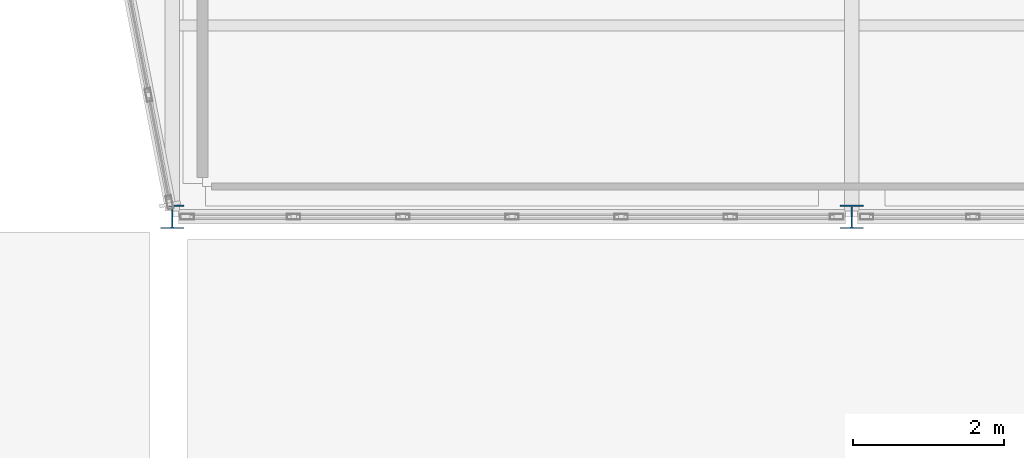
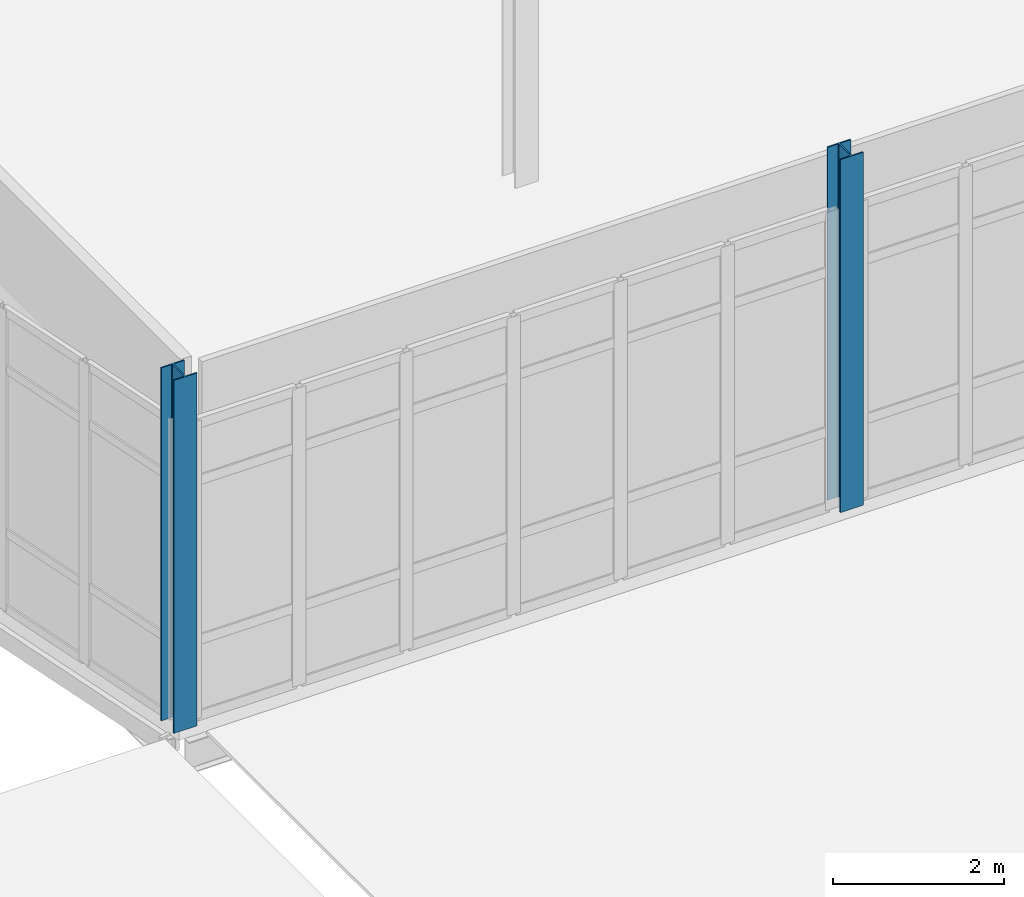
# One storey, part 14 of 161: 2 columns.
"""IFC4 building model written with IfcOpenShell, lengths in metres."""

from ifc_helpers import new_model, si_unit, direction, frame, origin, origin_2d, place, context, subcontext, project, spatial, i_section, extrude, material, material_profile, profile_set, type_object, element, save


model = new_model("IFC4")

# Units and contexts
model_context = context("Model", 3, precision=1e-05, world=origin(), true_north=direction((0.0, 1.0)))
body_context = subcontext(model_context, "Body", "Model", "MODEL_VIEW")
ifc_project = project(units=[si_unit("LENGTHUNIT", "METRE"), si_unit("AREAUNIT", "SQUARE_METRE"), si_unit("VOLUMEUNIT", "CUBIC_METRE"), si_unit("PLANEANGLEUNIT", "RADIAN"), si_unit("MASSUNIT", "GRAM", prefix="KILO")], contexts=[model_context])

# Site, building, storey
site_placement = place(None, origin())
site = spatial("IfcSite", under=ifc_project, at=site_placement, CompositionType="ELEMENT")
building_placement = place(site_placement, origin())
building = spatial("IfcBuilding", under=site, at=building_placement, Name="Caisbarro Railhouse Central Library", CompositionType="ELEMENT")
storey_placement = place(building_placement, origin())
storey = spatial("IfcBuildingStorey", under=building, at=storey_placement, Name="L00", CompositionType="ELEMENT", Elevation=0.0)

# Columns
ifc_material = material(Name="Steel ASTM A572 Grade 50", Category="steel")
ifc_material_profile = material_profile(ifc_material, i_section(OverallWidth=0.31201171875, OverallDepth=0.31201171875, WebThickness=0.017333984375, FlangeThickness=0.017333984375, FilletRadius=0.014892578125, at=origin_2d()), Name="HP310X125.0")
ifc_profile_set = profile_set([ifc_material_profile], Name="Steel ASTM A572 Grade 50")
column_type = type_object("IfcColumnType", Name="COL-C03", PredefinedType="COLUMN", material=ifc_profile_set)
for number, where, z_axis, x_axis, name in (
    (1, (117.0, 60.800048828125, 0.0), (0.0, 0.0, 1.0), (1.0, 0.0, 0.0), "C03 column L00 (117.0,60.8)"),
    (2, (126.0, 60.800048828125, 0.0), (0.0, 0.0, 1.0), (1.0, 0.0, 0.0), "C03 column L00 (126.0,60.8)"),
):
    element("IfcColumn", number, at=place(storey_placement, frame(where, z_axis=z_axis, x_axis=x_axis)), inside=storey, type_object=column_type, Name=name, PredefinedType="COLUMN", context=body_context, shape_type="SweptSolid", body=[
        extrude(i_section(OverallWidth=0.31201171875, OverallDepth=0.31201171875, WebThickness=0.017333984375, FlangeThickness=0.017333984375, FilletRadius=0.014892578125, at=origin_2d()), origin(), (0.0, 0.0, 1.0), 5.0400390625),
    ])

save(model, "model.ifc")
